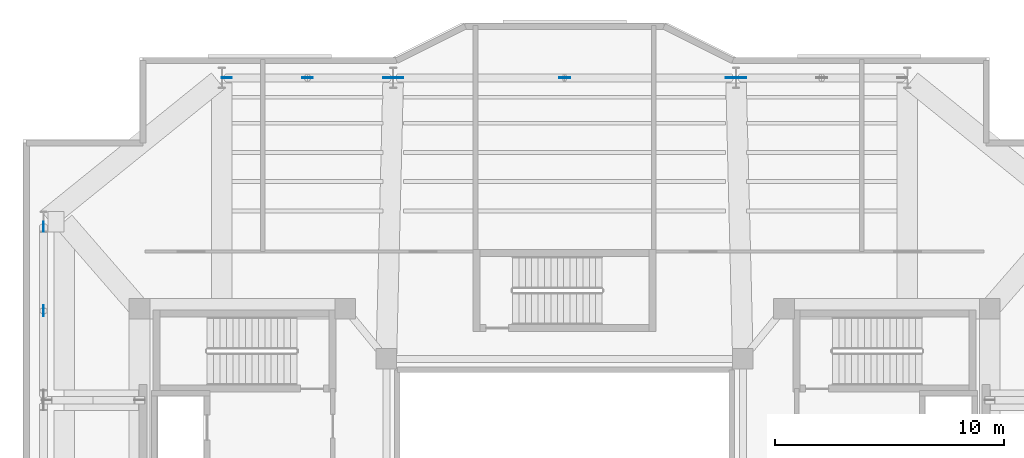
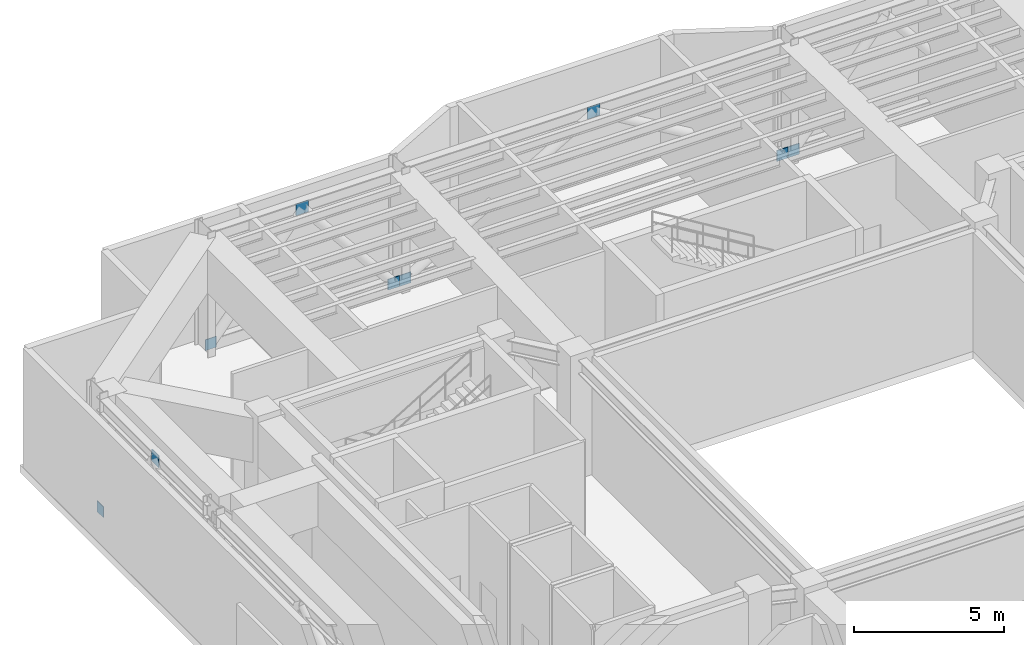
# One storey, part 6 of 13: 9 plates.
"""IFC4 building model written with IfcOpenShell, lengths in metres."""

from ifc_helpers import new_model, si_unit, direction, frame, origin, origin_2d, place, context, subcontext, project, spatial, rectangle, extrude, material, layer, layer_set, type_object, element, save


model = new_model("IFC4")

# Units and contexts
model_context = context("Model", 3, precision=1e-05, world=origin(), true_north=direction((0.0, 1.0)))
body_context = subcontext(model_context, "Body", "Model", "MODEL_VIEW")
ifc_project = project(units=[si_unit("LENGTHUNIT", "METRE"), si_unit("AREAUNIT", "SQUARE_METRE"), si_unit("VOLUMEUNIT", "CUBIC_METRE"), si_unit("PLANEANGLEUNIT", "RADIAN"), si_unit("MASSUNIT", "GRAM", prefix="KILO")], contexts=[model_context])

# Site, building, storey
site_placement = place(None, origin())
site = spatial("IfcSite", under=ifc_project, at=site_placement, CompositionType="ELEMENT")
building_placement = place(site_placement, origin())
building = spatial("IfcBuilding", under=site, at=building_placement, Name="Tarnavaz Court Tower", CompositionType="ELEMENT")
storey_placement = place(building_placement, frame((0.0, 0.0, 236.39990234375)))
storey = spatial("IfcBuildingStorey", under=building, at=storey_placement, Name="L64", CompositionType="ELEMENT", Elevation=236.39990234375)

# Plates
ifc_material = material(Name="Steel S355", Category="steel")
ifc_layer = layer(ifc_material, 0.030029296875)
ifc_layer_set = layer_set([ifc_layer], Name="Steel S355")
plate_type = type_object("IfcPlateType", Name="PL-GUSSET-30", PredefinedType="USERDEFINED", material=ifc_layer_set)
for number, where, z_axis, x_axis, name in (
    (1, (-11.25, 20.10009765625, 4.260009765625), (0.0, 0.0, 1.0), (1.0, 0.0, 0.0), "L64 Belt Truss Apex Gusset & End-Cap Plate 01"),
    (2, (0.0, 20.10009765625, 4.260009765625), (0.0, 0.0, 1.0), (1.0, 0.0, 0.0), "L64 Belt Truss Apex Gusset & End-Cap Plate 02"),
    (3, (-22.800048828125, 9.89990234375, 4.260009765625), (0.0, 0.0, 1.0), (0.0, 1.0, 0.0), "L64 Belt Truss Apex Gusset & End-Cap Plate 12"),
):
    element("IfcPlate", number, at=place(storey_placement, frame(where, z_axis=z_axis, x_axis=x_axis)), inside=storey, type_object=plate_type, Name=name, ObjectType="GUSSET PLATE", PredefinedType="USERDEFINED", context=body_context, shape_type="SweptSolid", body=[
        extrude(rectangle(XDim=0.47998046875, YDim=0.030029296875, at=origin_2d()), origin(), (0.0, 0.0, 1.0), 0.47998046875),
    ])
for number, where, z_axis, x_axis, name in (
    (4, (-14.780029296875, 20.10009765625, -0.019775390625), (0.0, 0.0, 1.0), (1.0, 0.0, 0.0), "L64 Structural Brace & Strut End Gusset Plate 111"),
    (5, (-7.719970703125, 20.10009765625, -0.019775390625), (0.0, 0.0, 1.0), (1.0, 0.0, 0.0), "L64 Structural Brace & Strut End Gusset Plate 112"),
    (6, (-7.280029296875, 20.10009765625, -0.019775390625), (0.0, 0.0, 1.0), (1.0, 0.0, 0.0), "L64 Structural Brace & Strut End Gusset Plate 113"),
    (7, (7.280029296875, 20.10009765625, -0.019775390625), (0.0, 0.0, 1.0), (1.0, 0.0, 0.0), "L64 Structural Brace & Strut End Gusset Plate 114"),
    (8, (7.719970703125, 20.10009765625, -0.019775390625), (0.0, 0.0, 1.0), (1.0, 0.0, 0.0), "L64 Structural Brace & Strut End Gusset Plate 115"),
    (9, (-22.800048828125, 13.580078125, -0.019775390625), (0.0, 0.0, 1.0), (0.0, 1.0, 0.0), "L64 Structural Brace & Strut End Gusset Plate 134"),
):
    element("IfcPlate", number, at=place(storey_placement, frame(where, z_axis=z_axis, x_axis=x_axis)), inside=storey, type_object=plate_type, Name=name, ObjectType="GUSSET PLATE", PredefinedType="USERDEFINED", context=body_context, shape_type="SweptSolid", body=[
        extrude(rectangle(XDim=0.43994140625, YDim=0.030029296875, at=origin_2d()), origin(), (0.0, 0.0, 1.0), 0.43994140625),
    ])

save(model, "model.ifc")
